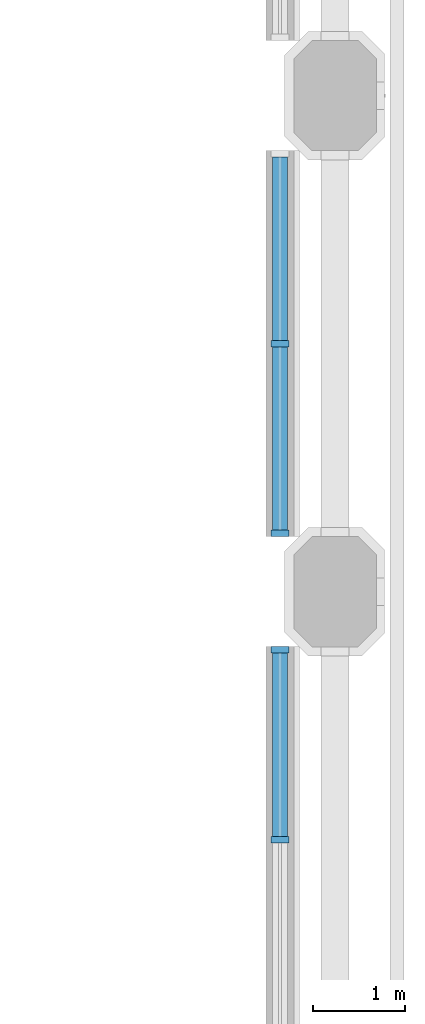
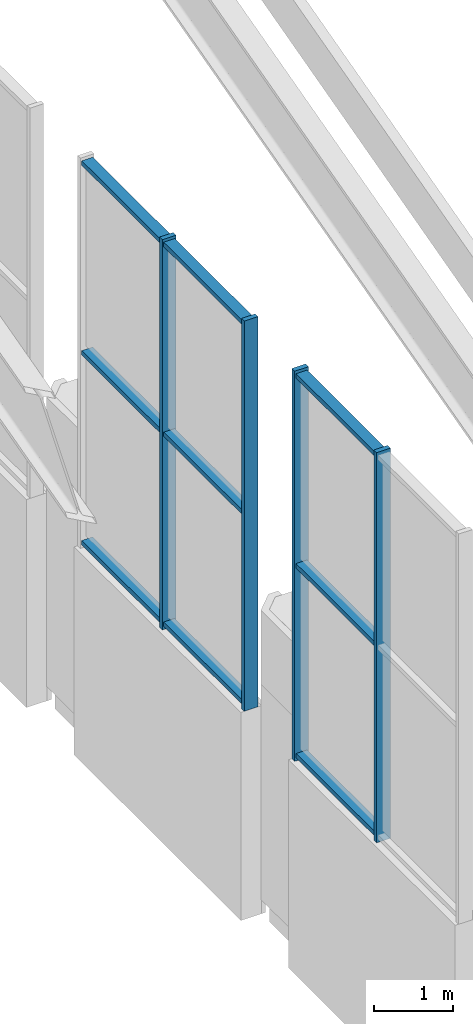
# One storey, part 20 of 42: 13 members, 2 elements without a shape of their own.
"""IFC4 building model written with IfcOpenShell, lengths in metres."""

import ifcopenshell
import ifcopenshell.guid

model = None  # the IFC model being written
_history = None  # IfcOwnerHistory: only IFC2X3 demands one
_inside = {}  # id of a spatial element -> (the spatial element, [elements in it])
_under = {}  # id of a project, library or spatial element -> (it, [spatial elements below it])
_declared = {}  # id of a project -> (the project, [libraries it declares])
_typed = {}  # id of a type object -> (the type object, [elements of that type])
_made_of = {}  # id of a material, layer set ... -> (it, [elements and type objects made of it])


def new_model(schema):
    """Start an empty IFC model of exactly this schema.

    Asked for "IFC4X3", IfcOpenShell would pick the latest addendum, in which some entities
    have other attributes; the version numbers below select the first issue.
    IFC2X3 requires an IfcOwnerHistory on every rooted entity: one is made here for all.
    """
    global model, _history
    if schema == "IFC4X3":
        model = ifcopenshell.file(schema_version=(4, 3, 0, 0))
    else:
        model = ifcopenshell.file(schema=schema)
    _inside.clear()
    _under.clear()
    _declared.clear()
    _typed.clear()
    _made_of.clear()
    _history = None
    if model.schema == "IFC2X3":
        org = make("IfcOrganization", Name="unknown")
        user = make(
            "IfcPersonAndOrganization",
            ThePerson=make("IfcPerson", FamilyName="unknown"),
            TheOrganization=org,
        )
        app = make(
            "IfcApplication",
            ApplicationDeveloper=org,
            Version="unknown",
            ApplicationFullName="unknown",
            ApplicationIdentifier="unknown",
        )
        _history = make(
            "IfcOwnerHistory",
            OwningUser=user,
            OwningApplication=app,
            ChangeAction="ADDED",
            CreationDate=0,
        )
    return model


def make(cls, **values):
    """One entity of the class cls with the attributes given. An attribute that is None is left unset."""
    return model.create_entity(
        cls, **{name: value for name, value in values.items() if value is not None}
    )


def rooted(cls, **values):
    """An entity with a GlobalId (a new one), such as an element, a storey or a relation."""
    return make(cls, GlobalId=ifcopenshell.guid.new(), OwnerHistory=_history, **values)


def si_unit(unit_type, name, prefix=None):
    """IfcSIUnit, for example si_unit("LENGTHUNIT", "METRE", prefix="MILLI")."""
    return make("IfcSIUnit", UnitType=unit_type, Prefix=prefix, Name=name)


def assignment(units):
    """IfcUnitAssignment: the units of a project."""
    return None if units is None else make("IfcUnitAssignment", Units=units)


def point(xyz):
    """IfcCartesianPoint."""
    return None if xyz is None else make("IfcCartesianPoint", Coordinates=xyz)


def direction(xyz):
    """IfcDirection."""
    return None if xyz is None else make("IfcDirection", DirectionRatios=xyz)


def frame(location, z_axis=None, x_axis=None):
    """IfcAxis2Placement3D, a coordinate frame: its origin and axes. An axis left out is left unset."""
    return make(
        "IfcAxis2Placement3D",
        Location=point(location),
        Axis=direction(z_axis),
        RefDirection=direction(x_axis),
    )


def frame_2d(location, x_axis=None):
    """IfcAxis2Placement2D, a coordinate frame in the plane: its origin and x axis."""
    return make(
        "IfcAxis2Placement2D", Location=point(location), RefDirection=direction(x_axis)
    )


def origin():
    """The frame at (0, 0, 0) with its axes left unset."""
    return frame((0.0, 0.0, 0.0))


def origin_2d():
    """The frame at (0, 0) in the plane with its x axis left unset."""
    return frame_2d((0.0, 0.0))


def place(relative_to, where):
    """IfcLocalPlacement: puts the frame where relative to a parent placement (None: the world)."""
    return make(
        "IfcLocalPlacement", PlacementRelTo=relative_to, RelativePlacement=where
    )


def context(
    kind, dimensions, precision=None, world=None, true_north=None, identifier=None
):
    """IfcGeometricRepresentationContext, for example the 3D "Model" context."""
    return make(
        "IfcGeometricRepresentationContext",
        ContextIdentifier=identifier,
        ContextType=kind,
        CoordinateSpaceDimension=dimensions,
        Precision=precision,
        WorldCoordinateSystem=world,
        TrueNorth=true_north,
    )


def subcontext(parent, identifier, kind, view, scale=None):
    """IfcGeometricRepresentationSubContext, for example "Body" below "Model"."""
    return make(
        "IfcGeometricRepresentationSubContext",
        ContextIdentifier=identifier,
        ContextType=kind,
        ParentContext=parent,
        TargetScale=scale,
        TargetView=view,
    )


def project(units=None, contexts=None):
    """IfcProject with its units and contexts."""
    return rooted(
        "IfcProject",
        Name="project",
        RepresentationContexts=contexts,
        UnitsInContext=assignment(units),
    )


def spatial(cls, under=None, at=None, **own):
    """A site, building, storey or space (cls), placed at a placement, below another one or the project."""
    s = rooted(cls, ObjectPlacement=at, **own)
    if under is not None:
        _under.setdefault(under.id(), (under, []))[1].append(s)
    return s


def profile(cls, at=None, kind="AREA", **sizes):
    """A parametric profile (cls). Its sizes go by their IFC names, for example OverallWidth=200.0."""
    return make(cls, ProfileType=kind, Position=at, **sizes)


def rectangle(**sizes):
    """IfcRectangleProfileDef."""
    return profile("IfcRectangleProfileDef", **sizes)


def extrude(swept, where, along, depth):
    """IfcExtrudedAreaSolid: the profile swept, set in the frame where, extruded along a direction by depth."""
    return make(
        "IfcExtrudedAreaSolid",
        SweptArea=swept,
        Position=where,
        ExtrudedDirection=direction(along),
        Depth=depth,
    )


def shape(context_of_items, identifier, shape_type, items):
    """IfcShapeRepresentation: the items that make up one representation, for example the "Body"."""
    return make(
        "IfcShapeRepresentation",
        ContextOfItems=context_of_items,
        RepresentationIdentifier=identifier,
        RepresentationType=shape_type,
        Items=items,
    )


def material(Name=None, Category=None):
    """IfcMaterial."""
    return make("IfcMaterial", Name=Name, Category=Category)


def material_profile(
    of_material, cross_section, Name=None, Category=None, Priority=None
):
    """IfcMaterialProfile: a cross section and its material."""
    return make(
        "IfcMaterialProfile",
        Name=Name,
        Material=of_material,
        Profile=cross_section,
        Priority=Priority,
        Category=Category,
    )


def profile_set(profiles, Name=None, composite=None):
    """IfcMaterialProfileSet."""
    return make(
        "IfcMaterialProfileSet",
        Name=Name,
        MaterialProfiles=profiles,
        CompositeProfile=composite,
    )


def made_of(thing, what):
    """Note that an element or type object is made of a material, layer set ...; save() writes the relation."""
    if what is not None:
        _made_of.setdefault(what.id(), (what, []))[1].append(thing)
    return thing


def type_object(cls, material=None, **own):
    """A type object (cls), such as IfcWallType, which elements share."""
    return made_of(rooted(cls, **own), material)


def element(
    cls,
    number,
    at=None,
    inside=None,
    cuts=None,
    type_object=None,
    material=None,
    context=None,
    identifier="Body",
    shape_type=None,
    held_by="IfcProductDefinitionShape",
    body=None,
    shapes=None,
    **own,
):
    """One element of the class cls, such as IfcWall. Its Tag is "e" and its number.

    at: its placement. inside: the storey or other place that contains it. cuts: it is an
    opening in that element (IfcRelVoidsElement). A single representation is given by context,
    identifier, shape_type and body (its items); several are given by shapes. held_by: the class
    of the entity that holds the representations. save() writes the other relations.
    """
    e = rooted(cls, Tag="e%d" % number, ObjectPlacement=at, **own)
    if body is not None:
        shapes = [shape(context, identifier, shape_type, body)]
    if shapes is not None:
        e.Representation = make(held_by, Representations=shapes)
    if inside is not None:
        _inside.setdefault(inside.id(), (inside, []))[1].append(e)
    if cuts is not None:
        rooted(
            "IfcRelVoidsElement", RelatingBuildingElement=cuts, RelatedOpeningElement=e
        )
    if type_object is not None:
        _typed.setdefault(type_object.id(), (type_object, []))[1].append(e)
    return made_of(e, material)


def aggregate(whole, parts):
    """IfcRelAggregates: a whole, such as a stair, and the parts it consists of."""
    return rooted("IfcRelAggregates", RelatingObject=whole, RelatedObjects=parts)


def save(model, path):
    """Write the relations noted so far, then the file.

    IfcRelAggregates (storeys below a building ...), IfcRelContainedInSpatialStructure (elements
    in a storey), IfcRelDefinesByType, IfcRelAssociatesMaterial and IfcRelDeclares: one each for
    every whole, place, type object, material and project.
    """
    for whole, parts in _under.values():
        aggregate(whole, parts)
    for where, things in _inside.values():
        rooted(
            "IfcRelContainedInSpatialStructure",
            RelatedElements=things,
            RelatingStructure=where,
        )
    for kind, things in _typed.values():
        rooted("IfcRelDefinesByType", RelatedObjects=things, RelatingType=kind)
    for what, things in _made_of.values():
        rooted("IfcRelAssociatesMaterial", RelatedObjects=things, RelatingMaterial=what)
    for by, libraries in _declared.values():
        rooted("IfcRelDeclares", RelatingContext=by, RelatedDefinitions=libraries)
    model.write(path)


model = new_model("IFC4")

# Units and contexts
model_context = context("Model", 3, precision=1e-05, world=origin(), true_north=direction((0.0, 1.0)))
body_context = subcontext(model_context, "Body", "Model", "MODEL_VIEW")
ifc_project = project(units=[si_unit("LENGTHUNIT", "METRE"), si_unit("AREAUNIT", "SQUARE_METRE"), si_unit("VOLUMEUNIT", "CUBIC_METRE"), si_unit("PLANEANGLEUNIT", "RADIAN"), si_unit("MASSUNIT", "GRAM", prefix="KILO")], contexts=[model_context])

# Site, building, storey
site_placement = place(None, origin())
site = spatial("IfcSite", under=ifc_project, at=site_placement, CompositionType="ELEMENT")
building_placement = place(site_placement, origin())
building = spatial("IfcBuilding", under=site, at=building_placement, Name="Tabaq Tower and Sports Hall", CompositionType="ELEMENT")
storey_placement = place(building_placement, frame((0.0, 0.0, 19.800048828125)))
storey = spatial("IfcBuildingStorey", under=building, at=storey_placement, Name="L03", CompositionType="ELEMENT", Elevation=19.800048828125)

# Curtain wall, members
ifc_material_1 = material(Name="Aluminium alloy 6063-T6 framed glazing", Category="aluminium")
curtain_wall_type = type_object("IfcCurtainWallType", Name="CW6 curtain wall", PredefinedType="USERDEFINED", material=ifc_material_1)
curtain_wall_1_placement = place(storey_placement, origin())
curtain_wall_1 = element("IfcCurtainWall", 1, at=curtain_wall_1_placement, inside=storey, type_object=curtain_wall_type, Name="L03 E hall glazing run", ObjectType="HALL FACADE WALL", PredefinedType="USERDEFINED")
ifc_material_2 = material(Name="Aluminium alloy 6063-T6", Category="aluminium")
ifc_material_profile_1 = material_profile(ifc_material_2, rectangle(XDim=0.199951171875, YDim=0.070068359375, at=origin_2d()), Name="MULLION 200x70")
ifc_profile_set_1 = profile_set([ifc_material_profile_1], Name="Aluminium alloy 6063-T6")
member_type_1 = type_object("IfcMemberType", Name="CW6 mullion 200x70", PredefinedType="MULLION", material=ifc_profile_set_1)
member_1_placement = place(storey_placement, frame((123.60009765625, 24.300048828125, 3.199951171875), z_axis=(0.0, 0.0, 1.0), x_axis=(-1.0, 0.0, 0.0)))
member_1 = element("IfcMember", 2, at=member_1_placement, type_object=member_type_1, Name="CW6 mullion 2", PredefinedType="MULLION", context=body_context, shape_type="SweptSolid", body=[
    extrude(rectangle(XDim=0.199951171875, YDim=0.070068359375, at=origin_2d()), origin(), (0.0, 0.0, 1.0), 6.0),
])
member_2_placement = place(storey_placement, frame((123.60009765625, 26.364990234375, 3.199951171875), z_axis=(0.0, 0.0, 1.0), x_axis=(-1.0, 0.0, 0.0)))
member_2 = element("IfcMember", 3, at=member_2_placement, type_object=member_type_1, Name="CW6 mullion 3", PredefinedType="MULLION", context=body_context, shape_type="SweptSolid", body=[
    extrude(rectangle(XDim=0.199951171875, YDim=0.070068359375, at=origin_2d()), origin(), (0.0, 0.0, 1.0), 6.0),
])

curtain_wall_2_placement = place(storey_placement, origin())
curtain_wall_2 = element("IfcCurtainWall", 4, at=curtain_wall_2_placement, inside=storey, type_object=curtain_wall_type, Name="L03 E hall glazing run", ObjectType="HALL FACADE WALL", PredefinedType="USERDEFINED")
member_3_placement = place(storey_placement, frame((123.60009765625, 27.635009765625, 3.199951171875), z_axis=(0.0, 0.0, 1.0), x_axis=(-1.0, 0.0, 0.0)))
member_3 = element("IfcMember", 5, at=member_3_placement, type_object=member_type_1, Name="CW6 mullion 1", PredefinedType="MULLION", context=body_context, shape_type="SweptSolid", body=[
    extrude(rectangle(XDim=0.199951171875, YDim=0.070068359375, at=origin_2d()), origin(), (0.0, 0.0, 1.0), 6.0),
])
member_4_placement = place(storey_placement, frame((123.60009765625, 29.699951171875, 3.199951171875), z_axis=(0.0, 0.0, 1.0), x_axis=(-1.0, 0.0, 0.0)))
member_4 = element("IfcMember", 6, at=member_4_placement, type_object=member_type_1, Name="CW6 mullion 2", PredefinedType="MULLION", context=body_context, shape_type="SweptSolid", body=[
    extrude(rectangle(XDim=0.199951171875, YDim=0.070068359375, at=origin_2d()), origin(), (0.0, 0.0, 1.0), 6.0),
])

# Member
ifc_material_3 = material(Name="Aluminium alloy 6063-T6", Category="aluminium")
ifc_material_profile_2 = material_profile(ifc_material_3, rectangle(XDim=0.159912109375, YDim=0.070068359375, at=origin_2d()), Name="TRANSOM 160x70")
ifc_profile_set_2 = profile_set([ifc_material_profile_2], Name="Aluminium alloy 6063-T6")
member_type_2 = type_object("IfcMemberType", Name="CW6 transom 160x70", PredefinedType="USERDEFINED", material=ifc_profile_set_2)
member_5_placement = place(storey_placement, frame((123.60009765625, 24.3349609375, 3.280029296875), z_axis=(0.0, 1.0, 0.0), x_axis=(-1.0, 0.0, 0.0)))
member_5 = element("IfcMember", 7, at=member_5_placement, type_object=member_type_2, Name="CW6 transom 2.1", ObjectType="TRANSOM", PredefinedType="USERDEFINED", context=body_context, shape_type="SweptSolid", body=[
    extrude(rectangle(XDim=0.159912109375, YDim=0.070068359375, at=origin_2d()), origin(), (0.0, 0.0, 1.0), 1.9951171875),
])

member_6_placement = place(storey_placement, frame((123.60009765625, 24.3349609375, 6.199951171875), z_axis=(0.0, 1.0, 0.0), x_axis=(-1.0, 0.0, 0.0)))
member_6 = element("IfcMember", 8, at=member_6_placement, type_object=member_type_2, Name="CW6 transom 2.2", ObjectType="TRANSOM", PredefinedType="USERDEFINED", context=body_context, shape_type="SweptSolid", body=[
    extrude(rectangle(XDim=0.159912109375, YDim=0.070068359375, at=origin_2d()), origin(), (0.0, 0.0, 1.0), 1.9951171875),
])

member_7_placement = place(storey_placement, frame((123.60009765625, 24.3349609375, 9.119873046875), z_axis=(0.0, 1.0, 0.0), x_axis=(-1.0, 0.0, 0.0)))
member_7 = element("IfcMember", 9, at=member_7_placement, type_object=member_type_2, Name="CW6 transom 2.3", ObjectType="TRANSOM", PredefinedType="USERDEFINED", context=body_context, shape_type="SweptSolid", body=[
    extrude(rectangle(XDim=0.159912109375, YDim=0.070068359375, at=origin_2d()), origin(), (0.0, 0.0, 1.0), 1.9951171875),
])

aggregate(curtain_wall_1, [member_1, member_2, member_5, member_6, member_7])

member_8_placement = place(storey_placement, frame((123.60009765625, 27.669921875, 3.280029296875), z_axis=(0.0, 1.0, 0.0), x_axis=(-1.0, 0.0, 0.0)))
member_8 = element("IfcMember", 10, at=member_8_placement, type_object=member_type_2, Name="CW6 transom 1.1", ObjectType="TRANSOM", PredefinedType="USERDEFINED", context=body_context, shape_type="SweptSolid", body=[
    extrude(rectangle(XDim=0.159912109375, YDim=0.070068359375, at=origin_2d()), origin(), (0.0, 0.0, 1.0), 1.9951171875),
])

member_9_placement = place(storey_placement, frame((123.60009765625, 27.669921875, 6.199951171875), z_axis=(0.0, 1.0, 0.0), x_axis=(-1.0, 0.0, 0.0)))
member_9 = element("IfcMember", 11, at=member_9_placement, type_object=member_type_2, Name="CW6 transom 1.2", ObjectType="TRANSOM", PredefinedType="USERDEFINED", context=body_context, shape_type="SweptSolid", body=[
    extrude(rectangle(XDim=0.159912109375, YDim=0.070068359375, at=origin_2d()), origin(), (0.0, 0.0, 1.0), 1.9951171875),
])

member_10_placement = place(storey_placement, frame((123.60009765625, 27.669921875, 9.119873046875), z_axis=(0.0, 1.0, 0.0), x_axis=(-1.0, 0.0, 0.0)))
member_10 = element("IfcMember", 12, at=member_10_placement, type_object=member_type_2, Name="CW6 transom 1.3", ObjectType="TRANSOM", PredefinedType="USERDEFINED", context=body_context, shape_type="SweptSolid", body=[
    extrude(rectangle(XDim=0.159912109375, YDim=0.070068359375, at=origin_2d()), origin(), (0.0, 0.0, 1.0), 1.9951171875),
])

member_11_placement = place(storey_placement, frame((123.60009765625, 29.735107421875, 3.280029296875), z_axis=(0.0, 1.0, 0.0), x_axis=(-1.0, 0.0, 0.0)))
member_11 = element("IfcMember", 13, at=member_11_placement, type_object=member_type_2, Name="CW6 transom 2.1", ObjectType="TRANSOM", PredefinedType="USERDEFINED", context=body_context, shape_type="SweptSolid", body=[
    extrude(rectangle(XDim=0.159912109375, YDim=0.070068359375, at=origin_2d()), origin(), (0.0, 0.0, 1.0), 1.994873046875),
])

member_12_placement = place(storey_placement, frame((123.60009765625, 29.735107421875, 6.199951171875), z_axis=(0.0, 1.0, 0.0), x_axis=(-1.0, 0.0, 0.0)))
member_12 = element("IfcMember", 14, at=member_12_placement, type_object=member_type_2, Name="CW6 transom 2.2", ObjectType="TRANSOM", PredefinedType="USERDEFINED", context=body_context, shape_type="SweptSolid", body=[
    extrude(rectangle(XDim=0.159912109375, YDim=0.070068359375, at=origin_2d()), origin(), (0.0, 0.0, 1.0), 1.994873046875),
])

member_13_placement = place(storey_placement, frame((123.60009765625, 29.735107421875, 9.119873046875), z_axis=(0.0, 1.0, 0.0), x_axis=(-1.0, 0.0, 0.0)))
member_13 = element("IfcMember", 15, at=member_13_placement, type_object=member_type_2, Name="CW6 transom 2.3", ObjectType="TRANSOM", PredefinedType="USERDEFINED", context=body_context, shape_type="SweptSolid", body=[
    extrude(rectangle(XDim=0.159912109375, YDim=0.070068359375, at=origin_2d()), origin(), (0.0, 0.0, 1.0), 1.994873046875),
])

aggregate(curtain_wall_2, [member_3, member_4, member_8, member_9, member_10, member_11, member_12, member_13])

save(model, "model.ifc")
